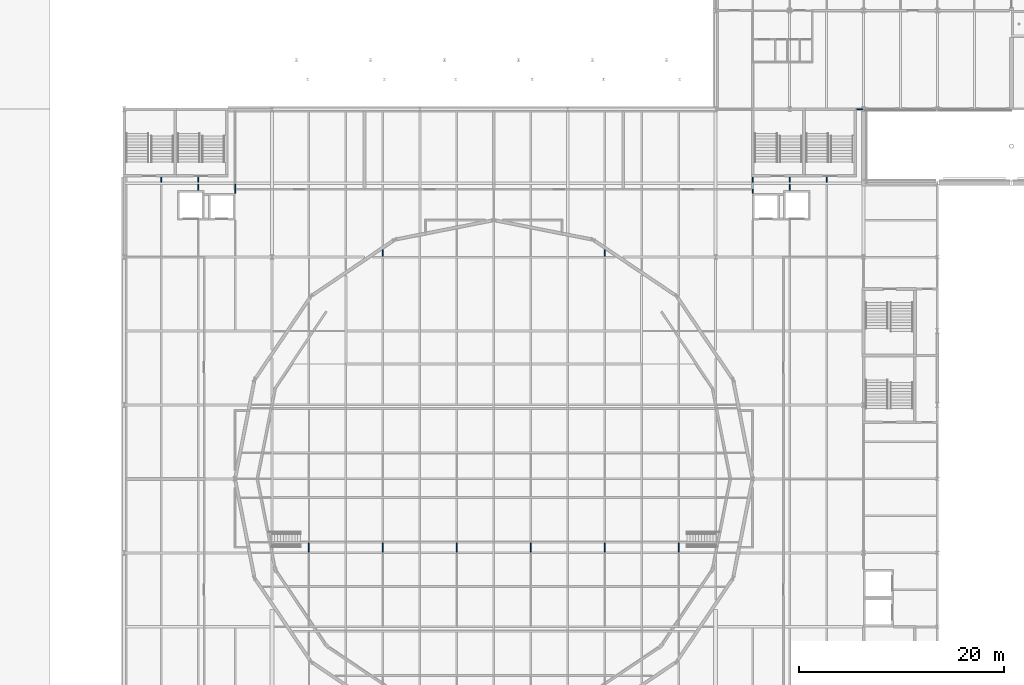
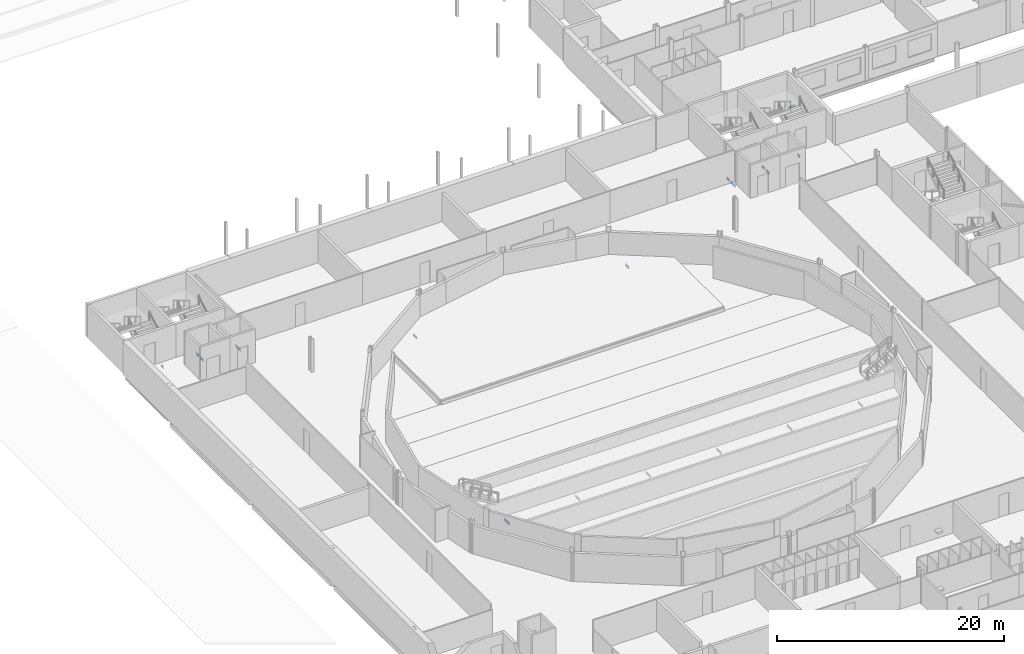
# One storey, part 40 of 90: 18 beams.
"""IFC4 building model written with IfcOpenShell, lengths in metres."""

from ifc_helpers import new_model, si_unit, direction, frame, origin, origin_2d, place, context, subcontext, project, spatial, i_section, extrude, material, material_profile, profile_set, type_object, element, save


model = new_model("IFC4")

# Units and contexts
model_context = context("Model", 3, precision=1e-05, world=origin(), true_north=direction((0.0, 1.0)))
body_context = subcontext(model_context, "Body", "Model", "MODEL_VIEW")
ifc_project = project(units=[si_unit("LENGTHUNIT", "METRE"), si_unit("AREAUNIT", "SQUARE_METRE"), si_unit("VOLUMEUNIT", "CUBIC_METRE"), si_unit("PLANEANGLEUNIT", "RADIAN"), si_unit("MASSUNIT", "GRAM", prefix="KILO")], contexts=[model_context])

# Site, building, storey
site_placement = place(None, origin())
site = spatial("IfcSite", under=ifc_project, at=site_placement, CompositionType="ELEMENT")
building_placement = place(site_placement, origin())
building = spatial("IfcBuilding", under=site, at=building_placement, Name="Kupolbacken Congress Centre", CompositionType="ELEMENT")
storey_placement = place(building_placement, frame((0.0, 0.0, 3.60009765625)))
storey = spatial("IfcBuildingStorey", under=building, at=storey_placement, Name="L01", CompositionType="ELEMENT", Elevation=3.60009765625)

# Beams
ifc_material = material(Name="Steel S355", Category="steel")
ifc_material_profile = material_profile(ifc_material, i_section(OverallWidth=0.10009765625, OverallDepth=0.199951171875, WebThickness=0.005615234375, FlangeThickness=0.008544921875, FilletRadius=0.011962890625, at=origin_2d()), Name="IPE 200")
ifc_profile_set = profile_set([ifc_material_profile], Name="Steel S355")
beam_type = type_object("IfcBeamType", Name="B01 beam IPE 200", PredefinedType="BEAM", material=ifc_profile_set)
beam_1_placement = place(storey_placement, frame((78.52490234375, 122.39990234375, -0.2900390625), z_axis=(1.0, 0.0, 0.0), x_axis=(0.0, 1.0, 0.0)))
element("IfcBeam", 1, at=beam_1_placement, inside=storey, type_object=beam_type, Name="S/floor/P/L01/R075", PredefinedType="BEAM", context=body_context, shape_type="SweptSolid", body=[
    extrude(i_section(OverallWidth=0.10009765625, OverallDepth=0.199951171875, WebThickness=0.005615234375, FlangeThickness=0.008544921875, FilletRadius=0.011962890625, at=origin_2d()), origin(), (0.0, 0.0, 1.0), 0.66455078125),
])
beam_2_placement = place(storey_placement, frame((10.800048828125, 115.31005859375, -0.2900390625), z_axis=(0.0, 1.0, 0.0), x_axis=(-1.0, 0.0, 0.0)))
element("IfcBeam", 2, at=beam_2_placement, inside=storey, type_object=beam_type, Name="S/floor/P/L01/S084", PredefinedType="BEAM", context=body_context, shape_type="SweptSolid", body=[
    extrude(i_section(OverallWidth=0.10009765625, OverallDepth=0.199951171875, WebThickness=0.005615234375, FlangeThickness=0.008544921875, FilletRadius=0.011962890625, at=origin_2d()), origin(), (0.0, 0.0, 1.0), 0.46484375),
])
beam_3_placement = place(storey_placement, frame((14.39990234375, 114.5, -0.2900390625), z_axis=(0.0, 1.0, 0.0), x_axis=(-1.0, 0.0, 0.0)))
element("IfcBeam", 3, at=beam_3_placement, inside=storey, type_object=beam_type, Name="S/floor/P/L01/S094", PredefinedType="BEAM", context=body_context, shape_type="SweptSolid", body=[
    extrude(i_section(OverallWidth=0.10009765625, OverallDepth=0.199951171875, WebThickness=0.005615234375, FlangeThickness=0.008544921875, FilletRadius=0.011962890625, at=origin_2d()), origin(), (0.0, 0.0, 1.0), 0.590087890625),
])
beam_4_placement = place(storey_placement, frame((14.39990234375, 115.31005859375, -0.2900390625), z_axis=(0.0, 1.0, 0.0), x_axis=(-1.0, 0.0, 0.0)))
element("IfcBeam", 4, at=beam_4_placement, inside=storey, type_object=beam_type, Name="S/floor/P/L01/S095", PredefinedType="BEAM", context=body_context, shape_type="SweptSolid", body=[
    extrude(i_section(OverallWidth=0.10009765625, OverallDepth=0.199951171875, WebThickness=0.005615234375, FlangeThickness=0.008544921875, FilletRadius=0.011962890625, at=origin_2d()), origin(), (0.0, 0.0, 1.0), 0.46484375),
])
beam_5_placement = place(storey_placement, frame((72.0, 114.5, -0.2900390625), z_axis=(0.0, 1.0, 0.0), x_axis=(-1.0, 0.0, 0.0)))
element("IfcBeam", 5, at=beam_5_placement, inside=storey, type_object=beam_type, Name="S/floor/P/L01/S149", PredefinedType="BEAM", context=body_context, shape_type="SweptSolid", body=[
    extrude(i_section(OverallWidth=0.10009765625, OverallDepth=0.199951171875, WebThickness=0.005615234375, FlangeThickness=0.008544921875, FilletRadius=0.011962890625, at=origin_2d()), origin(), (0.0, 0.0, 1.0), 0.590087890625),
])
for number, where, z_axis, x_axis, name in (
    (6, (72.0, 115.31005859375, -0.2900390625), (0.0, 1.0, 0.0), (-1.0, 0.0, 0.0), "S/floor/P/L01/S150"),
    (7, (75.60009765625, 115.31005859375, -0.2900390625), (0.0, 1.0, 0.0), (-1.0, 0.0, 0.0), "S/floor/P/L01/S160"),
):
    element("IfcBeam", number, at=place(storey_placement, frame(where, z_axis=z_axis, x_axis=x_axis)), inside=storey, type_object=beam_type, Name=name, PredefinedType="BEAM", context=body_context, shape_type="SweptSolid", body=[
        extrude(i_section(OverallWidth=0.10009765625, OverallDepth=0.199951171875, WebThickness=0.005615234375, FlangeThickness=0.008544921875, FilletRadius=0.011962890625, at=origin_2d()), origin(), (0.0, 0.0, 1.0), 0.46484375),
    ])
for number, where, z_axis, x_axis, name in (
    (8, (18.0, 114.199951171875, -0.2900390625), (0.0, 1.0, 0.0), (-1.0, 0.0, 0.0), "S/floor/P/L01/S171"),
    (9, (68.39990234375, 114.199951171875, -0.2900390625), (0.0, 1.0, 0.0), (-1.0, 0.0, 0.0), "S/floor/P/L01/S175"),
):
    element("IfcBeam", number, at=place(storey_placement, frame(where, z_axis=z_axis, x_axis=x_axis)), inside=storey, type_object=beam_type, Name=name, PredefinedType="BEAM", context=body_context, shape_type="SweptSolid", body=[
        extrude(i_section(OverallWidth=0.10009765625, OverallDepth=0.199951171875, WebThickness=0.005615234375, FlangeThickness=0.008544921875, FilletRadius=0.011962890625, at=origin_2d()), origin(), (0.0, 0.0, 1.0), 0.89013671875),
    ])
beam_6_placement = place(storey_placement, frame((68.39990234375, 115.31005859375, -0.2900390625), z_axis=(0.0, 1.0, 0.0), x_axis=(-1.0, 0.0, 0.0)))
element("IfcBeam", 10, at=beam_6_placement, inside=storey, type_object=beam_type, Name="S/floor/P/L01/S176", PredefinedType="BEAM", context=body_context, shape_type="SweptSolid", body=[
    extrude(i_section(OverallWidth=0.10009765625, OverallDepth=0.199951171875, WebThickness=0.005615234375, FlangeThickness=0.008544921875, FilletRadius=0.011962890625, at=origin_2d()), origin(), (0.0, 0.0, 1.0), 0.46484375),
])
for number, where, z_axis, x_axis, name in (
    (11, (25.199951171875, 79.27490234375, -0.2900390625), (0.0, 1.0, 0.0), (-1.0, 0.0, 0.0), "S/floor/PL/L01/S107"),
    (12, (32.39990234375, 79.27490234375, -0.2900390625), (0.0, 1.0, 0.0), (-1.0, 0.0, 0.0), "S/floor/PL/L01/S119"),
):
    element("IfcBeam", number, at=place(storey_placement, frame(where, z_axis=z_axis, x_axis=x_axis)), inside=storey, type_object=beam_type, Name=name, PredefinedType="BEAM", context=body_context, shape_type="SweptSolid", body=[
        extrude(i_section(OverallWidth=0.10009765625, OverallDepth=0.199951171875, WebThickness=0.005615234375, FlangeThickness=0.008544921875, FilletRadius=0.011962890625, at=origin_2d()), origin(), (0.0, 0.0, 1.0), 0.900146484375),
    ])
beam_7_placement = place(storey_placement, frame((32.39990234375, 108.0673828125, -0.2900390625), z_axis=(0.0, 1.0, 0.0), x_axis=(-1.0, 0.0, 0.0)))
element("IfcBeam", 13, at=beam_7_placement, inside=storey, type_object=beam_type, Name="S/floor/PL/L01/S126", PredefinedType="BEAM", context=body_context, shape_type="SweptSolid", body=[
    extrude(i_section(OverallWidth=0.10009765625, OverallDepth=0.199951171875, WebThickness=0.005615234375, FlangeThickness=0.008544921875, FilletRadius=0.011962890625, at=origin_2d()), origin(), (0.0, 0.0, 1.0), 0.641845703125),
])
for number, where, z_axis, x_axis, name in (
    (14, (39.60009765625, 79.27490234375, -0.2900390625), (0.0, 1.0, 0.0), (-1.0, 0.0, 0.0), "S/floor/PL/L01/S132"),
    (15, (46.800048828125, 79.27490234375, -0.2900390625), (0.0, 1.0, 0.0), (-1.0, 0.0, 0.0), "S/floor/PL/L01/S145"),
    (16, (54.0, 79.27490234375, -0.2900390625), (0.0, 1.0, 0.0), (-1.0, 0.0, 0.0), "S/floor/PL/L01/S158"),
):
    element("IfcBeam", number, at=place(storey_placement, frame(where, z_axis=z_axis, x_axis=x_axis)), inside=storey, type_object=beam_type, Name=name, PredefinedType="BEAM", context=body_context, shape_type="SweptSolid", body=[
        extrude(i_section(OverallWidth=0.10009765625, OverallDepth=0.199951171875, WebThickness=0.005615234375, FlangeThickness=0.008544921875, FilletRadius=0.011962890625, at=origin_2d()), origin(), (0.0, 0.0, 1.0), 0.900146484375),
    ])
beam_8_placement = place(storey_placement, frame((54.0, 108.0673828125, -0.2900390625), z_axis=(0.0, 1.0, 0.0), x_axis=(-1.0, 0.0, 0.0)))
element("IfcBeam", 17, at=beam_8_placement, inside=storey, type_object=beam_type, Name="S/floor/PL/L01/S165", PredefinedType="BEAM", context=body_context, shape_type="SweptSolid", body=[
    extrude(i_section(OverallWidth=0.10009765625, OverallDepth=0.199951171875, WebThickness=0.005615234375, FlangeThickness=0.008544921875, FilletRadius=0.011962890625, at=origin_2d()), origin(), (0.0, 0.0, 1.0), 0.641845703125),
])
beam_9_placement = place(storey_placement, frame((61.199951171875, 79.27490234375, -0.2900390625), z_axis=(0.0, 1.0, 0.0), x_axis=(-1.0, 0.0, 0.0)))
element("IfcBeam", 18, at=beam_9_placement, inside=storey, type_object=beam_type, Name="S/floor/PL/L01/S169", PredefinedType="BEAM", context=body_context, shape_type="SweptSolid", body=[
    extrude(i_section(OverallWidth=0.10009765625, OverallDepth=0.199951171875, WebThickness=0.005615234375, FlangeThickness=0.008544921875, FilletRadius=0.011962890625, at=origin_2d()), origin(), (0.0, 0.0, 1.0), 0.900146484375),
])

save(model, "model.ifc")
